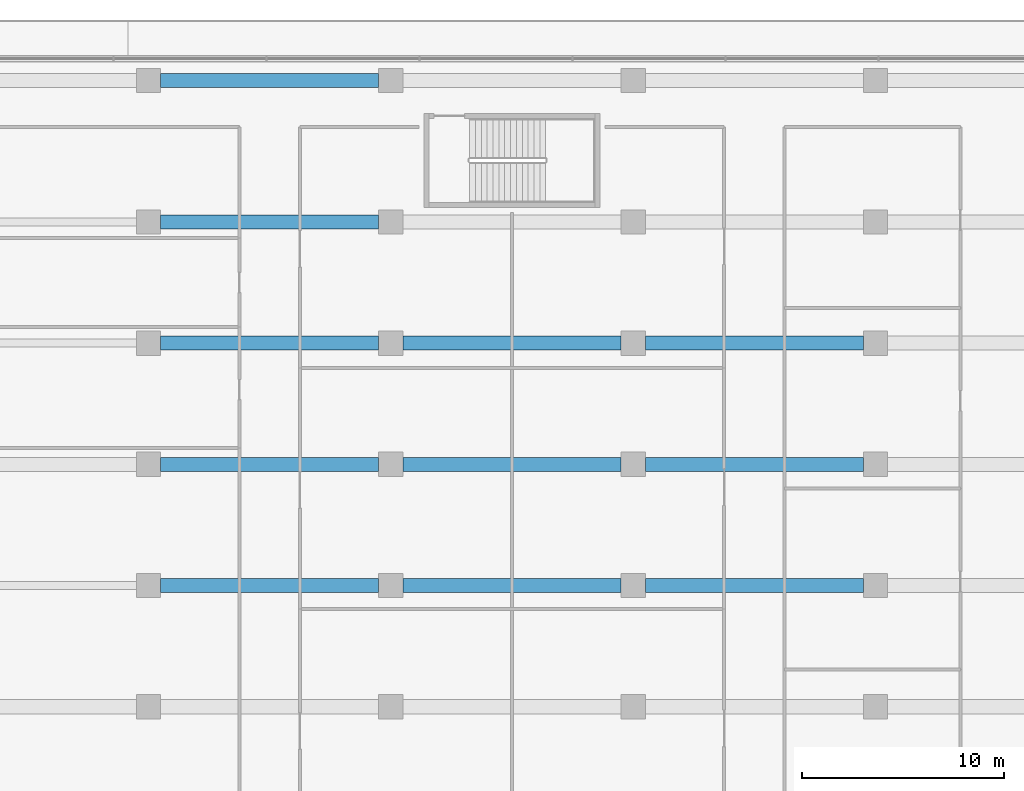
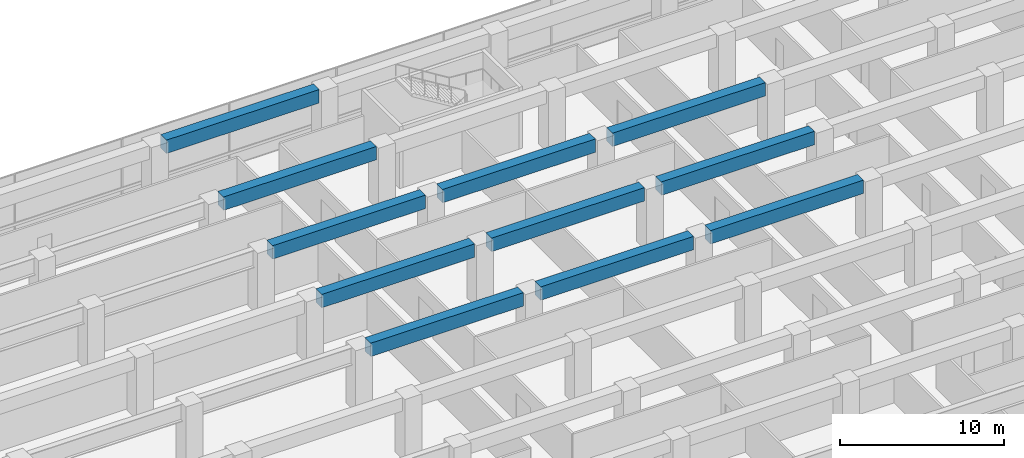
# One storey, part 19 of 40: 11 beams.
"""IFC4 building model written with IfcOpenShell, lengths in metres."""

from ifc_helpers import new_model, si_unit, direction, frame, origin, origin_2d, place, context, subcontext, project, spatial, rectangle, extrude, material, material_profile, profile_set, type_object, element, save


model = new_model("IFC4")

# Units and contexts
model_context = context("Model", 3, precision=1e-05, world=origin(), true_north=direction((0.0, 1.0)))
body_context = subcontext(model_context, "Body", "Model", "MODEL_VIEW")
ifc_project = project(units=[si_unit("LENGTHUNIT", "METRE"), si_unit("AREAUNIT", "SQUARE_METRE"), si_unit("VOLUMEUNIT", "CUBIC_METRE"), si_unit("PLANEANGLEUNIT", "RADIAN"), si_unit("MASSUNIT", "GRAM", prefix="KILO")], contexts=[model_context])

# Site, building, storey
site_placement = place(None, origin())
site = spatial("IfcSite", under=ifc_project, at=site_placement, CompositionType="ELEMENT")
building_placement = place(site_placement, origin())
building = spatial("IfcBuilding", under=site, at=building_placement, Name="Welwitschia Terrace Campus", CompositionType="ELEMENT")
storey_placement = place(building_placement, frame((0.0, 0.0, 6.0)))
storey = spatial("IfcBuildingStorey", under=building, at=storey_placement, Name="L01", CompositionType="ELEMENT", Elevation=6.0)

# Beams
ifc_material = material(Name="Concrete C60/75", Category="concrete")
ifc_material_profile = material_profile(ifc_material, rectangle(XDim=0.699951171875, YDim=1.0, at=origin_2d()))
ifc_profile_set = profile_set([ifc_material_profile], Name="Concrete C60/75")
beam_type = type_object("IfcBeamType", Name="Base block beam 700x1000", PredefinedType="BEAM", material=ifc_profile_set)
for number, where, z_axis, x_axis, name in (
    (1, (24.6005859375, 44.0, 4.10009765625), (1.0, 0.0, 0.0), (0.0, 1.0, 0.0), "Beam BB1"),
    (2, (36.6005859375, 44.0, 4.10009765625), (1.0, 0.0, 0.0), (0.0, 1.0, 0.0), "Beam BB1"),
    (3, (48.6005859375, 44.0, 4.10009765625), (1.0, 0.0, 0.0), (0.0, 1.0, 0.0), "Beam BB1"),
    (4, (24.6005859375, 50.0, 4.10009765625), (1.0, 0.0, 0.0), (0.0, 1.0, 0.0), "Beam BB1"),
    (5, (36.6005859375, 50.0, 4.10009765625), (1.0, 0.0, 0.0), (0.0, 1.0, 0.0), "Beam BB1"),
    (6, (48.6005859375, 50.0, 4.10009765625), (1.0, 0.0, 0.0), (0.0, 1.0, 0.0), "Beam BB1"),
    (7, (24.6005859375, 56.0, 4.10009765625), (1.0, 0.0, 0.0), (0.0, 1.0, 0.0), "Beam BB1"),
    (8, (36.6005859375, 56.0, 4.10009765625), (1.0, 0.0, 0.0), (0.0, 1.0, 0.0), "Beam BB1"),
    (9, (48.6005859375, 56.0, 4.10009765625), (1.0, 0.0, 0.0), (0.0, 1.0, 0.0), "Beam BB1"),
    (10, (24.6005859375, 62.0, 4.10009765625), (1.0, 0.0, 0.0), (0.0, 1.0, 0.0), "Beam BB1"),
    (11, (24.6005859375, 69.0, 4.10009765625), (1.0, 0.0, 0.0), (0.0, 1.0, 0.0), "Beam BB1"),
):
    element("IfcBeam", number, at=place(storey_placement, frame(where, z_axis=z_axis, x_axis=x_axis)), inside=storey, type_object=beam_type, Name=name, PredefinedType="BEAM", context=body_context, shape_type="SweptSolid", body=[
        extrude(rectangle(XDim=0.699951171875, YDim=1.0, at=origin_2d()), origin(), (0.0, 0.0, 1.0), 10.798828125),
    ])

save(model, "model.ifc")
